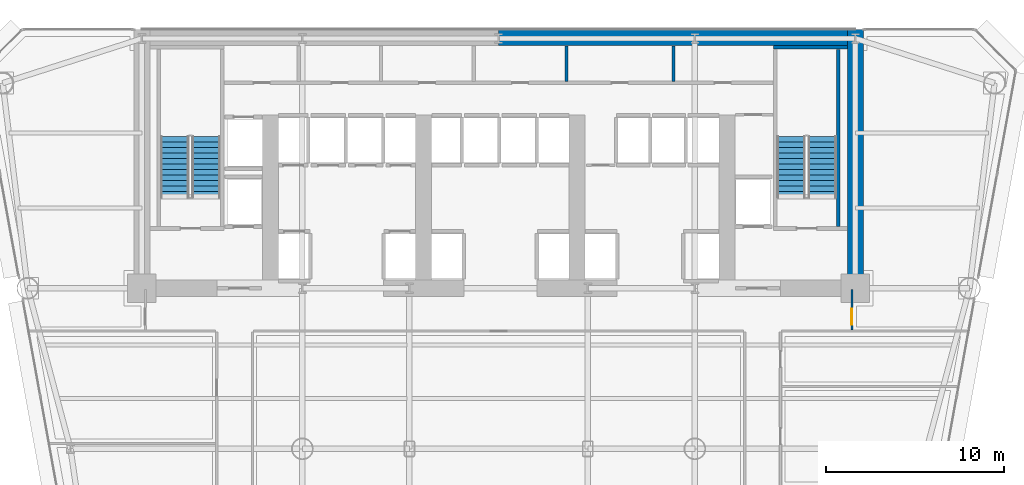
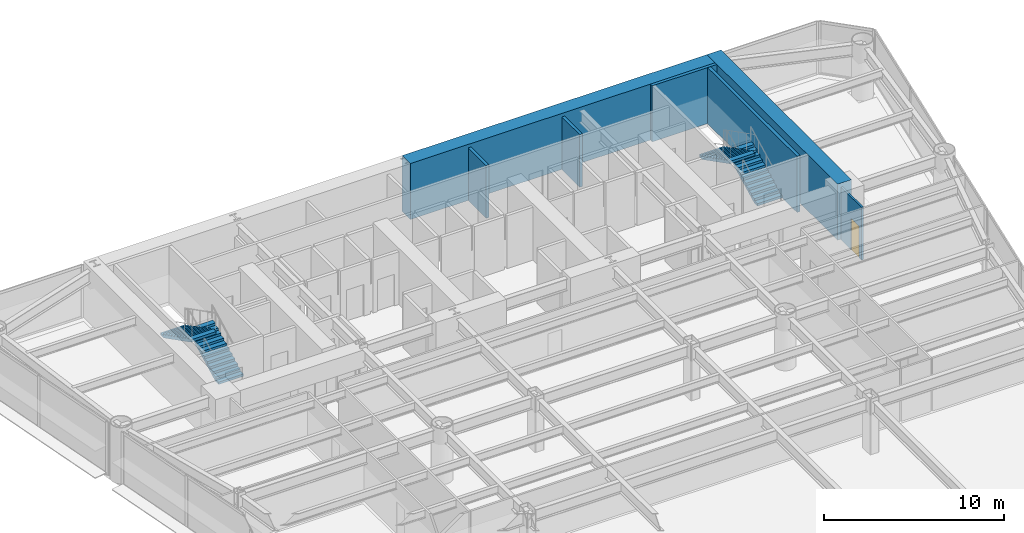
# One storey, part 10 of 14: 7 walls, 4 stair flights, 1 door, 1 opening, 2 elements without a shape of their own.
"""IFC4 building model written with IfcOpenShell, lengths in metres."""

from ifc_helpers import new_model, si_unit, direction, frame, frame_2d, origin, place, context, subcontext, project, spatial, polyline, rectangle, outline, extrude, source, transform, mapped, material, layer, layer_set, type_object, element, fill, aggregate, save


model = new_model("IFC4")

# Units and contexts
model_context = context("Model", 3, precision=1e-05, world=origin(), true_north=direction((0.0, 1.0)))
body_context = subcontext(model_context, "Body", "Model", "MODEL_VIEW")
ifc_project = project(units=[si_unit("LENGTHUNIT", "METRE"), si_unit("AREAUNIT", "SQUARE_METRE"), si_unit("VOLUMEUNIT", "CUBIC_METRE"), si_unit("PLANEANGLEUNIT", "RADIAN"), si_unit("MASSUNIT", "GRAM", prefix="KILO")], contexts=[model_context])

# Site, building, storey
site_placement = place(None, origin())
site = spatial("IfcSite", under=ifc_project, at=site_placement, CompositionType="ELEMENT")
building_placement = place(site_placement, origin())
building = spatial("IfcBuilding", under=site, at=building_placement, Name="Vaeldorn Concourse Tower", CompositionType="ELEMENT")
storey_placement = place(building_placement, frame((0.0, 0.0, 34.0)))
storey = spatial("IfcBuildingStorey", under=building, at=storey_placement, Name="L08", CompositionType="ELEMENT", Elevation=34.0)

# Walls
ifc_material_1 = material(Name="Concrete C60/75", Category="concrete")
ifc_layer_1 = layer(ifc_material_1, 0.89990234375)
ifc_layer_set_1 = layer_set([ifc_layer_1], Name="Concrete C60/75")
wall_type_1 = type_object("IfcWallType", Name="WL-CORE-900", PredefinedType="SHEAR", material=ifc_layer_set_1)
wall_1_placement = place(storey_placement, frame((34.001953125, 50.550048828125, 0.0), z_axis=(0.0, 0.0, 1.0), x_axis=(1.0, 0.0, 0.0)))
element("IfcWall", 1, at=wall_1_placement, inside=storey, type_object=wall_type_1, Name="Rear Core Shear Wall L08 N2", PredefinedType="SHEAR", context=body_context, shape_type="SweptSolid", body=[
    extrude(rectangle(XDim=19.5439453125, YDim=0.89990234375, at=frame_2d((9.77197265625, 0.0))), origin(), (0.0, 0.0, 1.0), 3.800048828125),
])
wall_2_placement = place(storey_placement, frame((54.0, 36.5, 0.0), z_axis=(0.0, 0.0, 1.0), x_axis=(0.0, 1.0, 0.0)))
element("IfcWall", 2, at=wall_2_placement, inside=storey, type_object=wall_type_1, Name="Rear Core Shear Wall L08 E1", PredefinedType="SHEAR", context=body_context, shape_type="SweptSolid", body=[
    extrude(rectangle(XDim=14.5, YDim=0.89990234375, at=frame_2d((7.25, 0.0))), origin(), (0.0, 0.0, 1.0), 3.800048828125),
])

# Wall, opening, door
ifc_material_2 = material(Name="Gypsum Board Partition", Category="gypsum")
ifc_layer_2 = layer(ifc_material_2, 0.1201171875)
ifc_layer_set_2 = layer_set([ifc_layer_2], Name="Gypsum Board Partition")
wall_type_2 = type_object("IfcWallType", Name="WL-PART-120", PredefinedType="PARTITIONING", material=ifc_layer_set_2)
wall_3_placement = place(storey_placement, frame((53.800048828125, 34.159912109375, 0.0), z_axis=(0.0, 0.0, 1.0), x_axis=(0.0, 1.0, 0.0)))
wall_3 = element("IfcWall", 3, at=wall_3_placement, inside=storey, type_object=wall_type_2, Name="Interior Wall PW-L08-CEET", PredefinedType="PARTITIONING", context=body_context, shape_type="SweptSolid", body=[
    extrude(rectangle(XDim=2.280029296875, YDim=0.1201171875, at=frame_2d((1.14013671875, 0.0))), origin(), (0.0, 0.0, 1.0), 3.580078125),
])
opening_placement = place(wall_3_placement, frame((0.300048828125, 0.0, 0.0)))
opening = element("IfcOpeningElement", 4, at=opening_placement, cuts=wall_3, Name="Opening D-03", PredefinedType="OPENING", context=body_context, shape_type="SweptSolid", body=[
    extrude(rectangle(XDim=0.89990234375, YDim=2.14990234375, at=frame_2d((0.449951171875, 1.074951171875))), frame((0.0, 0.070068359375, 0.0), z_axis=(0.0, -1.0, 0.0), x_axis=(1.0, 0.0, 0.0)), (0.0, 0.0, 1.0), 0.14013671875),
])
ifc_material_3 = material(Name="Acoustic Bronze-Framed Glass Door", Category="glass")
door_type = type_object("IfcDoorType", Name="DR-INT-900", OperationType="NOTDEFINED", PredefinedType="DOOR", material=ifc_material_3)
shared_shape = source(origin(), body_context, "Body", "SweptSolid", [
    extrude(rectangle(XDim=0.89990234375, YDim=2.14990234375, at=frame_2d((0.449951171875, 1.074951171875))), frame((0.0, 0.02490234375, 0.0), z_axis=(0.0, -1.0, 0.0), x_axis=(1.0, 0.0, 0.0)), (0.0, 0.0, 1.0), 0.050048828125),
])
door_placement = place(opening_placement, origin())
door = element("IfcDoor", 5, at=door_placement, inside=storey, type_object=door_type, Name="Interior Door DR-L08-NE1", OperationType="SINGLE_SWING_RIGHT", OverallHeight=2.14990234375, OverallWidth=0.89990234375, PredefinedType="DOOR", context=body_context, shape_type="MappedRepresentation", body=[
    mapped(shared_shape, transform((0.0, 0.0, 0.0), scale=1.0)),
])
fill(opening, door)

# Walls
ifc_layer_3 = layer(ifc_material_2, 0.179931640625)
ifc_layer_set_3 = layer_set([ifc_layer_3], Name="Gypsum Board Partition")
wall_type_3 = type_object("IfcWallType", Name="WL-PLUMB-180", PredefinedType="PLUMBINGWALL", material=ifc_layer_set_3)
for number, where, z_axis, x_axis, name in (
    (6, (37.800048828125, 48.10009765625, 0.0), (0.0, 0.0, 1.0), (0.0, 1.0, 0.0), "Interior Wall CW-L08-NDIV4"),
    (7, (43.800048828125, 48.10009765625, 0.0), (0.0, 0.0, 1.0), (0.0, 1.0, 0.0), "Interior Wall CW-L08-NDIV5"),
):
    element("IfcWall", number, at=place(storey_placement, frame(where, z_axis=z_axis, x_axis=x_axis)), inside=storey, type_object=wall_type_3, Name=name, PredefinedType="PLUMBINGWALL", context=body_context, shape_type="SweptSolid", body=[
        extrude(rectangle(XDim=1.97998046875, YDim=0.179931640625, at=frame_2d((0.989990234375, 0.0))), origin(), (0.0, 0.0, 1.0), 3.580078125),
    ])
ifc_material_4 = material(Name="Concrete C50/60", Category="concrete")
ifc_layer_4 = layer(ifc_material_4, 0.199951171875)
ifc_layer_set_4 = layer_set([ifc_layer_4], Name="Concrete C50/60")
wall_type_4 = type_object("IfcWallType", Name="WL-SHAFT-200", PredefinedType="SOLIDWALL", material=ifc_layer_set_4)
wall_4_placement = place(storey_placement, frame((49.39990234375, 50.0, 0.0), z_axis=(0.0, 0.0, 1.0), x_axis=(1.0, 0.0, 0.0)))
element("IfcWall", 8, at=wall_4_placement, inside=storey, type_object=wall_type_4, Name="Stair Shaft Wall CW-L08-ST-2-N", PredefinedType="SOLIDWALL", context=body_context, shape_type="SweptSolid", body=[
    extrude(rectangle(XDim=4.150146484375, YDim=0.199951171875, at=frame_2d((2.0751953125, 0.0))), origin(), (0.0, 0.0, 1.0), 3.800048828125),
])
wall_5_placement = place(storey_placement, frame((53.050048828125, 39.9599609375, 0.0), z_axis=(0.0, 0.0, 1.0), x_axis=(0.0, 1.0, 0.0)))
element("IfcWall", 9, at=wall_5_placement, inside=storey, type_object=wall_type_4, Name="Stair Shaft Wall CW-L08-ST-2-E", PredefinedType="SOLIDWALL", context=body_context, shape_type="SweptSolid", body=[
    extrude(rectangle(XDim=9.929931640625, YDim=0.199951171875, at=frame_2d((4.96484375, 0.0))), origin(), (0.0, 0.0, 1.0), 3.800048828125),
])

# Stair, stair flights
ifc_material_5 = material(Name="Precast concrete C40/50", Category="concrete")
stair_type = type_object("IfcStairType", Name="STR-DOG-24x158", PredefinedType="HALF_TURN_STAIR", material=ifc_material_5)
stair_1_placement = place(storey_placement, origin())
stair_1 = element("IfcStair", 10, at=stair_1_placement, inside=storey, type_object=stair_type, Name="L08 West Core Exit Stair ST-1", PredefinedType="HALF_TURN_STAIR")
stair_flight_type = type_object("IfcStairFlightType", Name="STF-STR-12x158", PredefinedType="STRAIGHT", material=ifc_material_5)
stair_flight_1_placement = place(storey_placement, frame((17.60009765625, 41.60009765625, 0.0), z_axis=(0.0, 0.0, 1.0), x_axis=(0.0, 1.0, 0.0)))
stair_flight_1 = element("IfcStairFlight", 11, at=stair_flight_1_placement, type_object=stair_flight_type, Name="ST-1 flight 1", NumberOfRisers=12, NumberOfTreads=11, PredefinedType="STRAIGHT", RiserHeight=0.158333333, TreadLength=0.31, context=body_context, shape_type="SweptSolid", body=[
    extrude(outline(polyline([(0.0, 0.0), (0.0, 0.158447265625), (0.31005859375, 0.158447265625), (0.31005859375, 0.316650390625), (0.6201171875, 0.316650390625), (0.6201171875, 0.47509765625), (0.929931640625, 0.47509765625), (0.929931640625, 0.63330078125), (1.239990234375, 0.63330078125), (1.239990234375, 0.791748046875), (1.550048828125, 0.791748046875), (1.550048828125, 0.949951171875), (1.860107421875, 0.949951171875), (1.860107421875, 1.1083984375), (2.169921875, 1.1083984375), (2.169921875, 1.2666015625), (2.47998046875, 1.2666015625), (2.47998046875, 1.425048828125), (2.7900390625, 1.425048828125), (2.7900390625, 1.583251953125), (3.10009765625, 1.583251953125), (3.10009765625, 1.74169921875), (3.409912109375, 1.74169921875), (3.409912109375, 1.89990234375), (3.409912109375, 1.5732421875), (0.32958984375, 0.0), (0.0, 0.0)])), frame((0.0, 0.800048828125, 0.0), z_axis=(0.0, -1.0, 0.0), x_axis=(1.0, 0.0, 0.0)), (0.0, 0.0, 1.0), 1.60009765625),
])
stair_flight_2_placement = place(storey_placement, frame((15.85009765625, 45.010009765625, 1.89990234375), z_axis=(0.0, 0.0, 1.0), x_axis=(0.0, -1.0, 0.0)))
stair_flight_2 = element("IfcStairFlight", 12, at=stair_flight_2_placement, type_object=stair_flight_type, Name="ST-1 flight 2", NumberOfRisers=12, NumberOfTreads=11, PredefinedType="STRAIGHT", RiserHeight=0.158333333, TreadLength=0.31, context=body_context, shape_type="SweptSolid", body=[
    extrude(outline(polyline([(0.0, 0.0), (0.0, 0.158447265625), (0.31005859375, 0.158447265625), (0.31005859375, 0.316650390625), (0.6201171875, 0.316650390625), (0.6201171875, 0.47509765625), (0.929931640625, 0.47509765625), (0.929931640625, 0.63330078125), (1.239990234375, 0.63330078125), (1.239990234375, 0.791748046875), (1.550048828125, 0.791748046875), (1.550048828125, 0.949951171875), (1.860107421875, 0.949951171875), (1.860107421875, 1.1083984375), (2.169921875, 1.1083984375), (2.169921875, 1.2666015625), (2.47998046875, 1.2666015625), (2.47998046875, 1.425048828125), (2.7900390625, 1.425048828125), (2.7900390625, 1.583251953125), (3.10009765625, 1.583251953125), (3.10009765625, 1.74169921875), (3.409912109375, 1.74169921875), (3.409912109375, 1.89990234375), (3.409912109375, 1.5732421875), (0.32958984375, 0.0), (0.0, 0.0)])), frame((0.0, 0.800048828125, 0.0), z_axis=(0.0, -1.0, 0.0), x_axis=(1.0, 0.0, 0.0)), (0.0, 0.0, 1.0), 1.60009765625),
])
aggregate(stair_1, [stair_flight_1, stair_flight_2])

stair_2_placement = place(storey_placement, origin())
stair_2 = element("IfcStair", 13, at=stair_2_placement, inside=storey, type_object=stair_type, Name="L08 East Core Exit Stair ST-2", PredefinedType="HALF_TURN_STAIR")
stair_flight_3_placement = place(storey_placement, frame((52.14990234375, 41.60009765625, 0.0), z_axis=(0.0, 0.0, 1.0), x_axis=(0.0, 1.0, 0.0)))
stair_flight_3 = element("IfcStairFlight", 14, at=stair_flight_3_placement, type_object=stair_flight_type, Name="ST-2 flight 1", NumberOfRisers=12, NumberOfTreads=11, PredefinedType="STRAIGHT", RiserHeight=0.158333333, TreadLength=0.31, context=body_context, shape_type="SweptSolid", body=[
    extrude(outline(polyline([(0.0, 0.0), (0.0, 0.158447265625), (0.31005859375, 0.158447265625), (0.31005859375, 0.316650390625), (0.6201171875, 0.316650390625), (0.6201171875, 0.47509765625), (0.929931640625, 0.47509765625), (0.929931640625, 0.63330078125), (1.239990234375, 0.63330078125), (1.239990234375, 0.791748046875), (1.550048828125, 0.791748046875), (1.550048828125, 0.949951171875), (1.860107421875, 0.949951171875), (1.860107421875, 1.1083984375), (2.169921875, 1.1083984375), (2.169921875, 1.2666015625), (2.47998046875, 1.2666015625), (2.47998046875, 1.425048828125), (2.7900390625, 1.425048828125), (2.7900390625, 1.583251953125), (3.10009765625, 1.583251953125), (3.10009765625, 1.74169921875), (3.409912109375, 1.74169921875), (3.409912109375, 1.89990234375), (3.409912109375, 1.5732421875), (0.32958984375, 0.0), (0.0, 0.0)])), frame((0.0, 0.800048828125, 0.0), z_axis=(0.0, -1.0, 0.0), x_axis=(1.0, 0.0, 0.0)), (0.0, 0.0, 1.0), 1.60009765625),
])
stair_flight_4_placement = place(storey_placement, frame((50.39990234375, 45.010009765625, 1.89990234375), z_axis=(0.0, 0.0, 1.0), x_axis=(0.0, -1.0, 0.0)))
stair_flight_4 = element("IfcStairFlight", 15, at=stair_flight_4_placement, type_object=stair_flight_type, Name="ST-2 flight 2", NumberOfRisers=12, NumberOfTreads=11, PredefinedType="STRAIGHT", RiserHeight=0.158333333, TreadLength=0.31, context=body_context, shape_type="SweptSolid", body=[
    extrude(outline(polyline([(0.0, 0.0), (0.0, 0.158447265625), (0.31005859375, 0.158447265625), (0.31005859375, 0.316650390625), (0.6201171875, 0.316650390625), (0.6201171875, 0.47509765625), (0.929931640625, 0.47509765625), (0.929931640625, 0.63330078125), (1.239990234375, 0.63330078125), (1.239990234375, 0.791748046875), (1.550048828125, 0.791748046875), (1.550048828125, 0.949951171875), (1.860107421875, 0.949951171875), (1.860107421875, 1.1083984375), (2.169921875, 1.1083984375), (2.169921875, 1.2666015625), (2.47998046875, 1.2666015625), (2.47998046875, 1.425048828125), (2.7900390625, 1.425048828125), (2.7900390625, 1.583251953125), (3.10009765625, 1.583251953125), (3.10009765625, 1.74169921875), (3.409912109375, 1.74169921875), (3.409912109375, 1.89990234375), (3.409912109375, 1.5732421875), (0.32958984375, 0.0), (0.0, 0.0)])), frame((0.0, 0.800048828125, 0.0), z_axis=(0.0, -1.0, 0.0), x_axis=(1.0, 0.0, 0.0)), (0.0, 0.0, 1.0), 1.60009765625),
])
aggregate(stair_2, [stair_flight_3, stair_flight_4])

save(model, "model.ifc")
